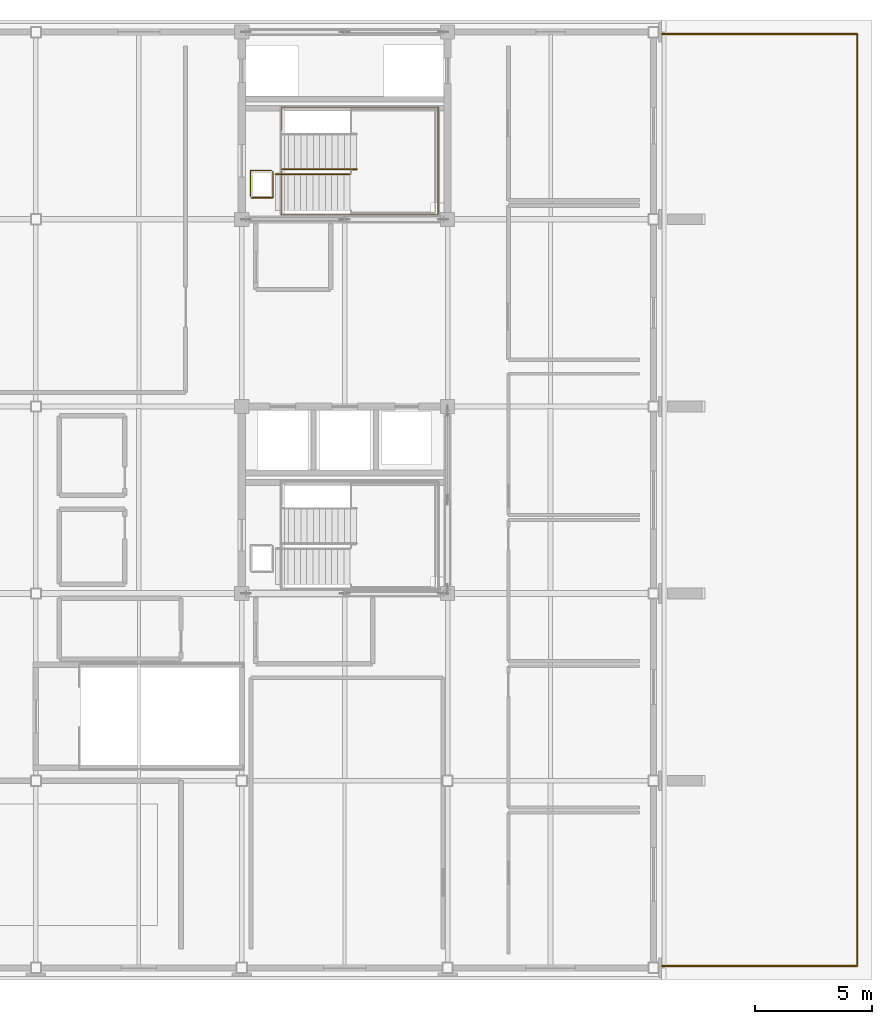
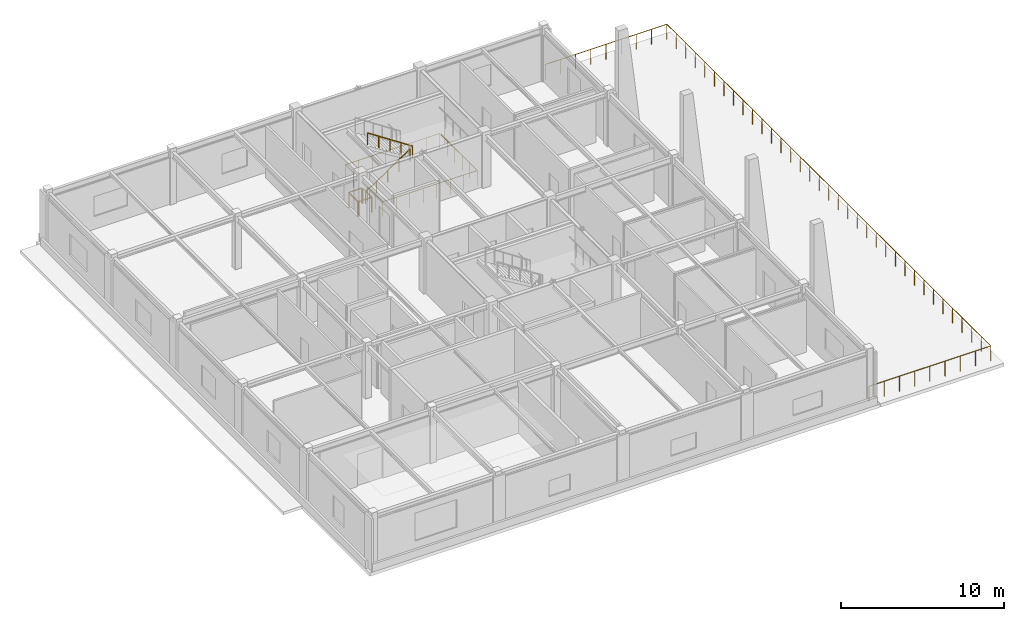
# One storey, part 12 of 13: 6 railings.
"""IFC4 building model written with IfcOpenShell, lengths in metres."""

from ifc_helpers import new_model, si_unit, direction, frame, origin, origin_2d, place, context, subcontext, project, spatial, circle, extrude, material, type_object, element, save


model = new_model("IFC4")

# Units and contexts
model_context = context("Model", 3, precision=1e-05, world=origin(), true_north=direction((0.0, 1.0)))
body_context = subcontext(model_context, "Body", "Model", "MODEL_VIEW")
ifc_project = project(units=[si_unit("LENGTHUNIT", "METRE"), si_unit("AREAUNIT", "SQUARE_METRE"), si_unit("VOLUMEUNIT", "CUBIC_METRE"), si_unit("PLANEANGLEUNIT", "RADIAN"), si_unit("MASSUNIT", "GRAM", prefix="KILO")], contexts=[model_context])

# Site, building, storey
site_placement = place(None, origin())
site = spatial("IfcSite", under=ifc_project, at=site_placement, CompositionType="ELEMENT")
building_placement = place(site_placement, origin())
building = spatial("IfcBuilding", under=site, at=building_placement, Name="Zhaolan Boulevard Law Courts", CompositionType="ELEMENT")
storey_placement = place(building_placement, frame((0.0, 0.0, 37.199951171875)))
storey = spatial("IfcBuildingStorey", under=building, at=storey_placement, Name="L08", CompositionType="ELEMENT", Elevation=37.199951171875)

# Railings
ifc_material_1 = material(Name="Powder-coated steel and tempered laminated glass", Category="steel")
railing_type_1 = type_object("IfcRailingType", Name="INTERIOR GUARDRAIL 1150", PredefinedType="GUARDRAIL", material=ifc_material_1)
railing_1_placement = place(storey_placement, frame((18.010009765625, 62.919921875, 0.0)))
element("IfcRailing", 1, at=railing_1_placement, inside=storey, type_object=railing_type_1, Name="Atrium Gallery Guardrail VG-8-V5-10A", PredefinedType="GUARDRAIL", context=body_context, shape_type="SweptSolid", body=[
    extrude(circle(Radius=0.02490234375, at=origin_2d()), frame((0.0, 0.0, 1.125), z_axis=(1.0, 0.0, 0.0), x_axis=(0.0, 1.0, 0.0)), (0.0, 0.0, 1.0), 0.919921875),
    extrude(circle(Radius=0.02490234375, at=origin_2d()), frame((0.919921875, 0.0, 1.125), z_axis=(0.0, 1.0, 0.0), x_axis=(-1.0, 0.0, 0.0)), (0.0, 0.0, 1.0), 1.1201171875),
    extrude(circle(Radius=0.02099609375, at=origin_2d()), origin(), (0.0, 0.0, 1.0), 1.099853515625),
    extrude(circle(Radius=0.02099609375, at=origin_2d()), frame((0.919921875, 0.0, 0.0)), (0.0, 0.0, 1.0), 1.099853515625),
    extrude(circle(Radius=0.02099609375, at=origin_2d()), frame((0.919921875, 1.1201171875, 0.0)), (0.0, 0.0, 1.0), 1.099853515625),
])
railing_2_placement = place(storey_placement, frame((18.8701171875, 64.080078125, 0.0)))
element("IfcRailing", 2, at=railing_2_placement, inside=storey, type_object=railing_type_1, Name="Atrium Gallery Guardrail VG-8-V5-10B", PredefinedType="GUARDRAIL", context=body_context, shape_type="SweptSolid", body=[
    extrude(circle(Radius=0.02490234375, at=origin_2d()), frame((0.0, 0.0, 1.125), z_axis=(-1.0, 0.0, 0.0), x_axis=(0.0, -1.0, 0.0)), (0.0, 0.0, 1.0), 0.900146484375),
    extrude(circle(Radius=0.02490234375, at=origin_2d()), frame((-0.900146484375, 0.0, 1.125), z_axis=(0.0, -1.0, 0.0), x_axis=(1.0, 0.0, 0.0)), (0.0, 0.0, 1.0), 1.10009765625),
    extrude(circle(Radius=0.02099609375, at=origin_2d()), origin(), (0.0, 0.0, 1.0), 1.099853515625),
    extrude(circle(Radius=0.02099609375, at=origin_2d()), frame((-0.900146484375, 0.0, 0.0)), (0.0, 0.0, 1.0), 1.099853515625),
    extrude(circle(Radius=0.02099609375, at=origin_2d()), frame((-0.900146484375, -1.10009765625, 0.0)), (0.0, 0.0, 1.0), 1.099853515625),
])
ifc_material_2 = material(Name="Brushed stainless steel tubular handrail", Category="steel")
railing_type_2 = type_object("IfcRailingType", Name="STAIR HANDRAIL 900", PredefinedType="HANDRAIL", material=ifc_material_2)
railing_3_placement = place(storey_placement, frame((19.050048828125, 63.919921875, 0.0)))
element("IfcRailing", 3, at=railing_3_placement, inside=storey, type_object=railing_type_2, Name="Stair Handrail HR-ST02-L08-1", PredefinedType="HANDRAIL", context=body_context, shape_type="SweptSolid", body=[
    extrude(circle(Radius=0.0224609375, at=origin_2d()), frame((0.0, 0.0, 0.87744140625), z_axis=(0.834447378162, 0.0, 0.551087627405), x_axis=(0.0, 1.0, 0.0)), (0.0, 0.0, 1.0), 3.810791015625),
    extrude(circle(Radius=0.01904296875, at=origin_2d()), origin(), (0.0, 0.0, 1.0), 0.85498046875),
    extrude(circle(Radius=0.01904296875, at=origin_2d()), frame((0.794921875, 0.0, 0.52490234375)), (0.0, 0.0, 1.0), 0.85498046875),
    extrude(circle(Radius=0.01904296875, at=origin_2d()), frame((1.58984375, 0.0, 1.050048828125)), (0.0, 0.0, 1.0), 0.85498046875),
    extrude(circle(Radius=0.01904296875, at=origin_2d()), frame((2.385009765625, 0.0, 1.5751953125)), (0.0, 0.0, 1.0), 0.85498046875),
    extrude(circle(Radius=0.01904296875, at=origin_2d()), frame((3.179931640625, 0.0, 2.10009765625)), (0.0, 0.0, 1.0), 0.85498046875),
])
railing_4_placement = place(storey_placement, frame((22.514892578125, 64.139892578125, 2.10009765625)))
element("IfcRailing", 4, at=railing_4_placement, inside=storey, type_object=railing_type_2, Name="Stair Handrail HR-ST02-L08-2", PredefinedType="HANDRAIL", context=body_context, shape_type="SweptSolid", body=[
    extrude(circle(Radius=0.0224609375, at=origin_2d()), frame((0.0, 0.0, 0.87744140625), z_axis=(-0.834476838559, 0.0, 0.551043016387), x_axis=(0.0, -1.0, 0.0)), (0.0, 0.0, 1.0), 3.810791015625),
    extrude(circle(Radius=0.01904296875, at=origin_2d()), origin(), (0.0, 0.0, 1.0), 0.85498046875),
    extrude(circle(Radius=0.01904296875, at=origin_2d()), frame((-0.794921875, 0.0, 0.52490234375)), (0.0, 0.0, 1.0), 0.85498046875),
    extrude(circle(Radius=0.01904296875, at=origin_2d()), frame((-1.58984375, 0.0, 1.0498046875)), (0.0, 0.0, 1.0), 0.85498046875),
    extrude(circle(Radius=0.01904296875, at=origin_2d()), frame((-2.385009765625, 0.0, 1.574951171875)), (0.0, 0.0, 1.0), 0.85498046875),
    extrude(circle(Radius=0.01904296875, at=origin_2d()), frame((-3.179931640625, 0.0, 2.099853515625)), (0.0, 0.0, 1.0), 0.85498046875),
])
ifc_material_3 = material(Name="Powder-coated steel baluster guardrail", Category="steel")
railing_type_3 = type_object("IfcRailingType", Name="STAIR WELL GUARDRAIL 1120", PredefinedType="GUARDRAIL", material=ifc_material_3)
railing_5_placement = place(storey_placement, frame((19.2900390625, 64.050048828125, 0.0)))
element("IfcRailing", 5, at=railing_5_placement, inside=storey, type_object=railing_type_3, Name="Stair-Well Floor Guardrail WG-ST02-L07", PredefinedType="GUARDRAIL", context=body_context, shape_type="SweptSolid", body=[
    extrude(circle(Radius=0.02392578125, at=origin_2d()), frame((0.0, 0.0, 1.09619140625), z_axis=(0.0, -1.0, 0.0), x_axis=(1.0, 0.0, 0.0)), (0.0, 0.0, 1.0), 1.85009765625),
    extrude(circle(Radius=0.02392578125, at=origin_2d()), frame((0.0, -1.85009765625, 1.09619140625), z_axis=(1.0, 0.0, 0.0), x_axis=(0.0, 1.0, 0.0)), (0.0, 0.0, 1.0), 6.7099609375),
    extrude(circle(Radius=0.02392578125, at=origin_2d()), frame((6.7099609375, -1.85009765625, 1.09619140625), z_axis=(0.0, 1.0, 0.0), x_axis=(-1.0, 0.0, 0.0)), (0.0, 0.0, 1.0), 4.60009765625),
    extrude(circle(Radius=0.02392578125, at=origin_2d()), frame((6.7099609375, 2.75, 1.09619140625), z_axis=(-1.0, 0.0, 0.0), x_axis=(0.0, -1.0, 0.0)), (0.0, 0.0, 1.0), 6.7099609375),
    extrude(circle(Radius=0.02392578125, at=origin_2d()), frame((0.0, 2.75, 1.09619140625), z_axis=(0.0, -1.0, 0.0), x_axis=(1.0, 0.0, 0.0)), (0.0, 0.0, 1.0), 1.0),
    extrude(circle(Radius=0.02099609375, at=origin_2d()), origin(), (0.0, 0.0, 1.0), 1.072021484375),
    extrude(circle(Radius=0.02099609375, at=origin_2d()), frame((0.0, -0.925048828125, 0.0)), (0.0, 0.0, 1.0), 1.072021484375),
    extrude(circle(Radius=0.02099609375, at=origin_2d()), frame((0.0, -1.85009765625, 0.0)), (0.0, 0.0, 1.0), 1.072021484375),
    extrude(circle(Radius=0.02099609375, at=origin_2d()), frame((0.95849609375, -1.85009765625, 0.0)), (0.0, 0.0, 1.0), 1.072021484375),
    extrude(circle(Radius=0.02099609375, at=origin_2d()), frame((1.917236328125, -1.85009765625, 0.0)), (0.0, 0.0, 1.0), 1.072021484375),
    extrude(circle(Radius=0.02099609375, at=origin_2d()), frame((2.875732421875, -1.85009765625, 0.0)), (0.0, 0.0, 1.0), 1.072021484375),
    extrude(circle(Radius=0.02099609375, at=origin_2d()), frame((3.834228515625, -1.85009765625, 0.0)), (0.0, 0.0, 1.0), 1.072021484375),
    extrude(circle(Radius=0.02099609375, at=origin_2d()), frame((4.792724609375, -1.85009765625, 0.0)), (0.0, 0.0, 1.0), 1.072021484375),
    extrude(circle(Radius=0.02099609375, at=origin_2d()), frame((5.75146484375, -1.85009765625, 0.0)), (0.0, 0.0, 1.0), 1.072021484375),
    extrude(circle(Radius=0.02099609375, at=origin_2d()), frame((6.7099609375, -1.85009765625, 0.0)), (0.0, 0.0, 1.0), 1.072021484375),
    extrude(circle(Radius=0.02099609375, at=origin_2d()), frame((6.7099609375, -0.93017578125, 0.0)), (0.0, 0.0, 1.0), 1.072021484375),
    extrude(circle(Radius=0.02099609375, at=origin_2d()), frame((6.7099609375, -0.010009765625, 0.0)), (0.0, 0.0, 1.0), 1.072021484375),
    extrude(circle(Radius=0.02099609375, at=origin_2d()), frame((6.7099609375, 0.909912109375, 0.0)), (0.0, 0.0, 1.0), 1.072021484375),
    extrude(circle(Radius=0.02099609375, at=origin_2d()), frame((6.7099609375, 1.830078125, 0.0)), (0.0, 0.0, 1.0), 1.072021484375),
    extrude(circle(Radius=0.02099609375, at=origin_2d()), frame((6.7099609375, 2.75, 0.0)), (0.0, 0.0, 1.0), 1.072021484375),
    extrude(circle(Radius=0.02099609375, at=origin_2d()), frame((5.75146484375, 2.75, 0.0)), (0.0, 0.0, 1.0), 1.072021484375),
    extrude(circle(Radius=0.02099609375, at=origin_2d()), frame((4.792724609375, 2.75, 0.0)), (0.0, 0.0, 1.0), 1.072021484375),
    extrude(circle(Radius=0.02099609375, at=origin_2d()), frame((3.834228515625, 2.75, 0.0)), (0.0, 0.0, 1.0), 1.072021484375),
    extrude(circle(Radius=0.02099609375, at=origin_2d()), frame((2.875732421875, 2.75, 0.0)), (0.0, 0.0, 1.0), 1.072021484375),
    extrude(circle(Radius=0.02099609375, at=origin_2d()), frame((1.917236328125, 2.75, 0.0)), (0.0, 0.0, 1.0), 1.072021484375),
    extrude(circle(Radius=0.02099609375, at=origin_2d()), frame((0.95849609375, 2.75, 0.0)), (0.0, 0.0, 1.0), 1.072021484375),
    extrude(circle(Radius=0.02099609375, at=origin_2d()), frame((0.0, 2.75, 0.0)), (0.0, 0.0, 1.0), 1.072021484375),
    extrude(circle(Radius=0.02099609375, at=origin_2d()), frame((0.0, 1.75, 0.0)), (0.0, 0.0, 1.0), 1.072021484375),
])
ifc_material_4 = material(Name="Stainless steel 316L and laminated glass", Category="steel")
railing_type_4 = type_object("IfcRailingType", Name="TERRACE GUARDRAIL 1150", PredefinedType="GUARDRAIL", material=ifc_material_4)
railing_6_placement = place(storey_placement, frame((35.280029296875, 30.080078125, 0.0)))
element("IfcRailing", 6, at=railing_6_placement, inside=storey, type_object=railing_type_4, Name="Terrace Guardrail GR-TER-L08", PredefinedType="GUARDRAIL", context=body_context, shape_type="SweptSolid", body=[
    extrude(circle(Radius=0.02490234375, at=origin_2d()), frame((0.0, 0.0, 1.125), z_axis=(1.0, 0.0, 0.0), x_axis=(0.0, 1.0, 0.0)), (0.0, 0.0, 1.0), 8.639892578125),
    extrude(circle(Radius=0.02490234375, at=origin_2d()), frame((8.639892578125, 0.0, 1.125), z_axis=(0.0, 1.0, 0.0), x_axis=(-1.0, 0.0, 0.0)), (0.0, 0.0, 1.0), 39.83984375),
    extrude(circle(Radius=0.02490234375, at=origin_2d()), frame((8.639892578125, 39.83984375, 1.125), z_axis=(-1.0, 0.0, 0.0), x_axis=(0.0, -1.0, 0.0)), (0.0, 0.0, 1.0), 8.639892578125),
    extrude(circle(Radius=0.0224609375, at=origin_2d()), origin(), (0.0, 0.0, 1.0), 1.099853515625),
    extrude(circle(Radius=0.0224609375, at=origin_2d()), frame((1.080078125, 0.0, 0.0)), (0.0, 0.0, 1.0), 1.099853515625),
    extrude(circle(Radius=0.0224609375, at=origin_2d()), frame((2.159912109375, 0.0, 0.0)), (0.0, 0.0, 1.0), 1.099853515625),
    extrude(circle(Radius=0.0224609375, at=origin_2d()), frame((3.239990234375, 0.0, 0.0)), (0.0, 0.0, 1.0), 1.099853515625),
    extrude(circle(Radius=0.0224609375, at=origin_2d()), frame((4.31982421875, 0.0, 0.0)), (0.0, 0.0, 1.0), 1.099853515625),
    extrude(circle(Radius=0.0224609375, at=origin_2d()), frame((5.39990234375, 0.0, 0.0)), (0.0, 0.0, 1.0), 1.099853515625),
    extrude(circle(Radius=0.0224609375, at=origin_2d()), frame((6.47998046875, 0.0, 0.0)), (0.0, 0.0, 1.0), 1.099853515625),
    extrude(circle(Radius=0.0224609375, at=origin_2d()), frame((7.559814453125, 0.0, 0.0)), (0.0, 0.0, 1.0), 1.099853515625),
    extrude(circle(Radius=0.0224609375, at=origin_2d()), frame((8.639892578125, 0.0, 0.0)), (0.0, 0.0, 1.0), 1.099853515625),
    extrude(circle(Radius=0.0224609375, at=origin_2d()), frame((8.639892578125, 1.171875, 0.0)), (0.0, 0.0, 1.0), 1.099853515625),
    extrude(circle(Radius=0.0224609375, at=origin_2d()), frame((8.639892578125, 2.343505859375, 0.0)), (0.0, 0.0, 1.0), 1.099853515625),
    extrude(circle(Radius=0.0224609375, at=origin_2d()), frame((8.639892578125, 3.515380859375, 0.0)), (0.0, 0.0, 1.0), 1.099853515625),
    extrude(circle(Radius=0.0224609375, at=origin_2d()), frame((8.639892578125, 4.68701171875, 0.0)), (0.0, 0.0, 1.0), 1.099853515625),
    extrude(circle(Radius=0.0224609375, at=origin_2d()), frame((8.639892578125, 5.85888671875, 0.0)), (0.0, 0.0, 1.0), 1.099853515625),
    extrude(circle(Radius=0.0224609375, at=origin_2d()), frame((8.639892578125, 7.030517578125, 0.0)), (0.0, 0.0, 1.0), 1.099853515625),
    extrude(circle(Radius=0.0224609375, at=origin_2d()), frame((8.639892578125, 8.202392578125, 0.0)), (0.0, 0.0, 1.0), 1.099853515625),
    extrude(circle(Radius=0.0224609375, at=origin_2d()), frame((8.639892578125, 9.3740234375, 0.0)), (0.0, 0.0, 1.0), 1.099853515625),
    extrude(circle(Radius=0.0224609375, at=origin_2d()), frame((8.639892578125, 10.5458984375, 0.0)), (0.0, 0.0, 1.0), 1.099853515625),
    extrude(circle(Radius=0.0224609375, at=origin_2d()), frame((8.639892578125, 11.717529296875, 0.0)), (0.0, 0.0, 1.0), 1.099853515625),
    extrude(circle(Radius=0.0224609375, at=origin_2d()), frame((8.639892578125, 12.889404296875, 0.0)), (0.0, 0.0, 1.0), 1.099853515625),
    extrude(circle(Radius=0.0224609375, at=origin_2d()), frame((8.639892578125, 14.06103515625, 0.0)), (0.0, 0.0, 1.0), 1.099853515625),
    extrude(circle(Radius=0.0224609375, at=origin_2d()), frame((8.639892578125, 15.23291015625, 0.0)), (0.0, 0.0, 1.0), 1.099853515625),
    extrude(circle(Radius=0.0224609375, at=origin_2d()), frame((8.639892578125, 16.404541015625, 0.0)), (0.0, 0.0, 1.0), 1.099853515625),
    extrude(circle(Radius=0.0224609375, at=origin_2d()), frame((8.639892578125, 17.576416015625, 0.0)), (0.0, 0.0, 1.0), 1.099853515625),
    extrude(circle(Radius=0.0224609375, at=origin_2d()), frame((8.639892578125, 18.748046875, 0.0)), (0.0, 0.0, 1.0), 1.099853515625),
    extrude(circle(Radius=0.0224609375, at=origin_2d()), frame((8.639892578125, 19.919921875, 0.0)), (0.0, 0.0, 1.0), 1.099853515625),
    extrude(circle(Radius=0.0224609375, at=origin_2d()), frame((8.639892578125, 21.091796875, 0.0)), (0.0, 0.0, 1.0), 1.099853515625),
    extrude(circle(Radius=0.0224609375, at=origin_2d()), frame((8.639892578125, 22.263427734375, 0.0)), (0.0, 0.0, 1.0), 1.099853515625),
    extrude(circle(Radius=0.0224609375, at=origin_2d()), frame((8.639892578125, 23.435302734375, 0.0)), (0.0, 0.0, 1.0), 1.099853515625),
    extrude(circle(Radius=0.0224609375, at=origin_2d()), frame((8.639892578125, 24.60693359375, 0.0)), (0.0, 0.0, 1.0), 1.099853515625),
    extrude(circle(Radius=0.0224609375, at=origin_2d()), frame((8.639892578125, 25.77880859375, 0.0)), (0.0, 0.0, 1.0), 1.099853515625),
    extrude(circle(Radius=0.0224609375, at=origin_2d()), frame((8.639892578125, 26.950439453125, 0.0)), (0.0, 0.0, 1.0), 1.099853515625),
    extrude(circle(Radius=0.0224609375, at=origin_2d()), frame((8.639892578125, 28.122314453125, 0.0)), (0.0, 0.0, 1.0), 1.099853515625),
    extrude(circle(Radius=0.0224609375, at=origin_2d()), frame((8.639892578125, 29.2939453125, 0.0)), (0.0, 0.0, 1.0), 1.099853515625),
    extrude(circle(Radius=0.0224609375, at=origin_2d()), frame((8.639892578125, 30.4658203125, 0.0)), (0.0, 0.0, 1.0), 1.099853515625),
    extrude(circle(Radius=0.0224609375, at=origin_2d()), frame((8.639892578125, 31.637451171875, 0.0)), (0.0, 0.0, 1.0), 1.099853515625),
    extrude(circle(Radius=0.0224609375, at=origin_2d()), frame((8.639892578125, 32.809326171875, 0.0)), (0.0, 0.0, 1.0), 1.099853515625),
    extrude(circle(Radius=0.0224609375, at=origin_2d()), frame((8.639892578125, 33.98095703125, 0.0)), (0.0, 0.0, 1.0), 1.099853515625),
    extrude(circle(Radius=0.0224609375, at=origin_2d()), frame((8.639892578125, 35.15283203125, 0.0)), (0.0, 0.0, 1.0), 1.099853515625),
    extrude(circle(Radius=0.0224609375, at=origin_2d()), frame((8.639892578125, 36.324462890625, 0.0)), (0.0, 0.0, 1.0), 1.099853515625),
    extrude(circle(Radius=0.0224609375, at=origin_2d()), frame((8.639892578125, 37.496337890625, 0.0)), (0.0, 0.0, 1.0), 1.099853515625),
    extrude(circle(Radius=0.0224609375, at=origin_2d()), frame((8.639892578125, 38.66796875, 0.0)), (0.0, 0.0, 1.0), 1.099853515625),
    extrude(circle(Radius=0.0224609375, at=origin_2d()), frame((8.639892578125, 39.83984375, 0.0)), (0.0, 0.0, 1.0), 1.099853515625),
    extrude(circle(Radius=0.0224609375, at=origin_2d()), frame((7.559814453125, 39.83984375, 0.0)), (0.0, 0.0, 1.0), 1.099853515625),
    extrude(circle(Radius=0.0224609375, at=origin_2d()), frame((6.47998046875, 39.83984375, 0.0)), (0.0, 0.0, 1.0), 1.099853515625),
    extrude(circle(Radius=0.0224609375, at=origin_2d()), frame((5.39990234375, 39.83984375, 0.0)), (0.0, 0.0, 1.0), 1.099853515625),
    extrude(circle(Radius=0.0224609375, at=origin_2d()), frame((4.31982421875, 39.83984375, 0.0)), (0.0, 0.0, 1.0), 1.099853515625),
    extrude(circle(Radius=0.0224609375, at=origin_2d()), frame((3.239990234375, 39.83984375, 0.0)), (0.0, 0.0, 1.0), 1.099853515625),
    extrude(circle(Radius=0.0224609375, at=origin_2d()), frame((2.159912109375, 39.83984375, 0.0)), (0.0, 0.0, 1.0), 1.099853515625),
    extrude(circle(Radius=0.0224609375, at=origin_2d()), frame((1.080078125, 39.83984375, 0.0)), (0.0, 0.0, 1.0), 1.099853515625),
    extrude(circle(Radius=0.0224609375, at=origin_2d()), frame((0.0, 39.83984375, 0.0)), (0.0, 0.0, 1.0), 1.099853515625),
])

save(model, "model.ifc")
